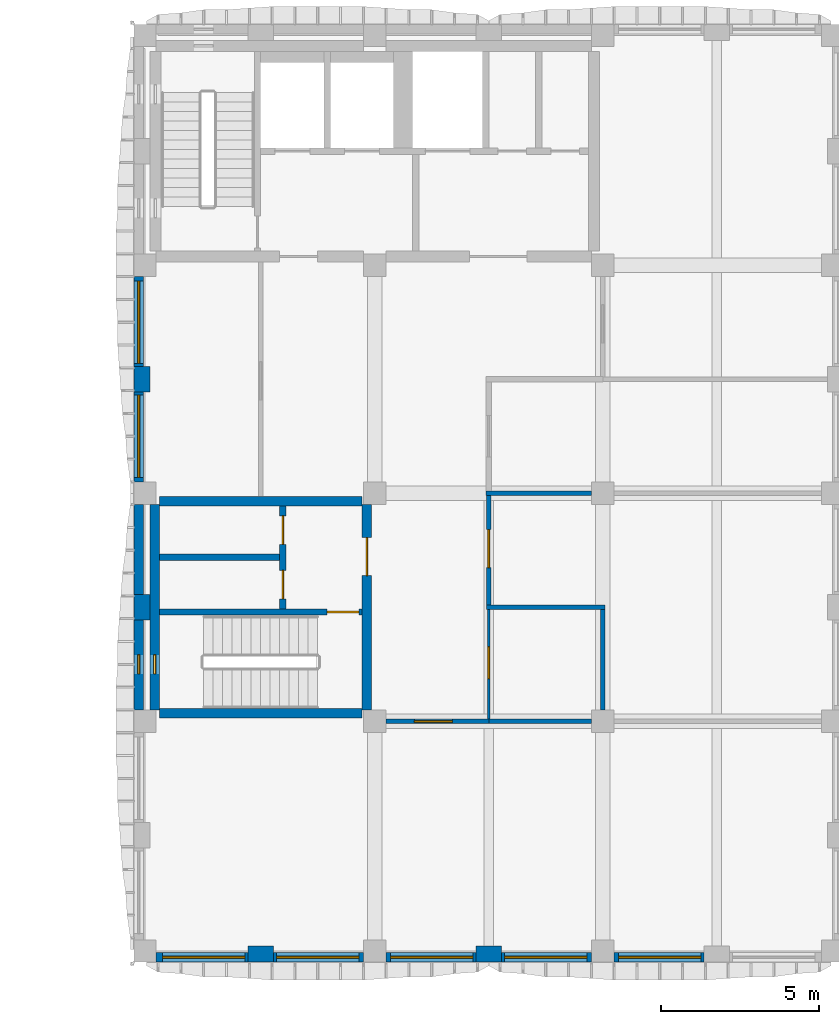
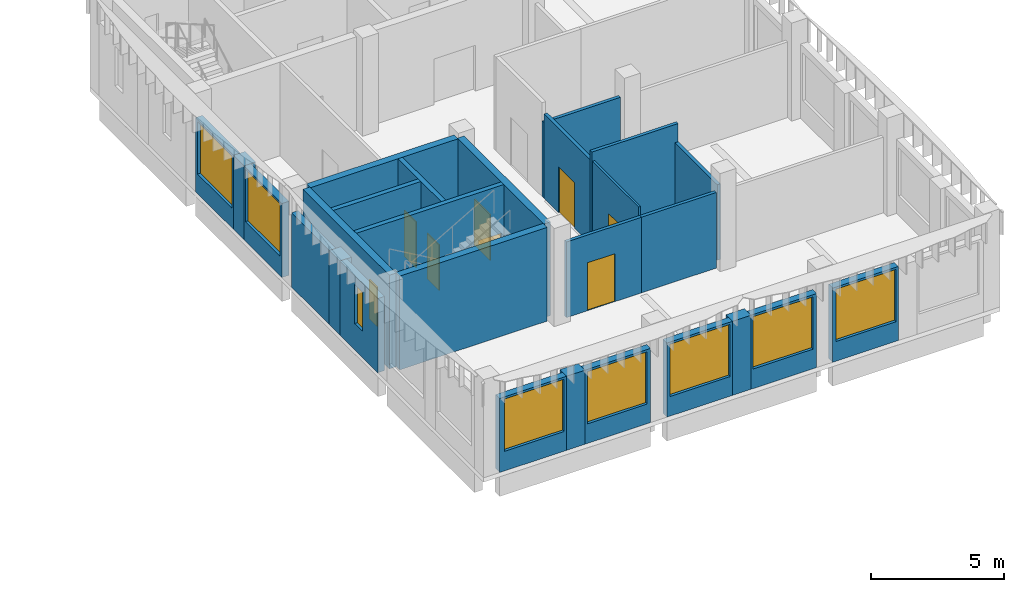
# One storey, part 10 of 38: 27 walls, 9 windows, 7 doors, 16 openings.
"""IFC4 building model written with IfcOpenShell, lengths in metres."""

from ifc_helpers import new_model, si_unit, direction, frame, frame_2d, origin, place, context, subcontext, project, spatial, rectangle, extrude, material, layer, layer_set, type_object, element, fill, save


model = new_model("IFC4")

# Units and contexts
model_context = context("Model", 3, precision=1e-05, world=origin(), true_north=direction((0.0, 1.0)))
body_context = subcontext(model_context, "Body", "Model", "MODEL_VIEW")
ifc_project = project(units=[si_unit("LENGTHUNIT", "METRE"), si_unit("AREAUNIT", "SQUARE_METRE"), si_unit("VOLUMEUNIT", "CUBIC_METRE"), si_unit("PLANEANGLEUNIT", "RADIAN"), si_unit("MASSUNIT", "GRAM", prefix="KILO")], contexts=[model_context])

# Site, building, storey
site_placement = place(None, origin())
site = spatial("IfcSite", under=ifc_project, at=site_placement, CompositionType="ELEMENT")
building_placement = place(site_placement, origin())
building = spatial("IfcBuilding", under=site, at=building_placement, Name="Ussher Court Research Institute", CompositionType="ELEMENT")
storey_placement = place(building_placement, frame((0.0, 0.0, 23.39990234375)))
storey = spatial("IfcBuildingStorey", under=building, at=storey_placement, Name="L05", CompositionType="ELEMENT", Elevation=23.39990234375)

# Wall, opening, window
ifc_material_1 = material(Name="Blockwork with cream render", Category="masonry")
ifc_layer_1 = layer(ifc_material_1, 0.300048828125)
ifc_layer_set_1 = layer_set([ifc_layer_1], Name="Blockwork with cream render")
wall_type_1 = type_object("IfcWallType", Name="External wall 300 cream render", PredefinedType="SOLIDWALL", material=ifc_layer_set_1)
wall_1_placement = place(storey_placement, frame((99.800048828125, 3.75, 0.0), z_axis=(0.0, 0.0, 1.0), x_axis=(-1.0, 0.0, 0.0)))
wall_1 = element("IfcWall", 1, at=wall_1_placement, inside=storey, type_object=wall_type_1, Name="External wall EW1 L05", PredefinedType="SOLIDWALL", context=body_context, shape_type="SweptSolid", body=[
    extrude(rectangle(XDim=2.85009765625, YDim=0.300048828125, at=frame_2d((1.425048828125, 0.0))), origin(), (0.0, 0.0, 1.0), 3.400146484375),
])
opening_1_placement = place(wall_1_placement, frame((0.10009765625, 0.0, 0.89990234375)))
opening_1 = element("IfcOpeningElement", 2, at=opening_1_placement, cuts=wall_1, Name="Opening W01", PredefinedType="OPENING", context=body_context, shape_type="SweptSolid", body=[
    extrude(rectangle(XDim=2.60009765625, YDim=2.39990234375, at=frame_2d((1.300048828125, 1.199951171875))), frame((0.0, 0.16015625, 0.0), z_axis=(0.0, -1.0, 0.0), x_axis=(1.0, 0.0, 0.0)), (0.0, 0.0, 1.0), 0.320068359375),
])
ifc_material_2 = material(Name="Bronze anodised aluminium with double glazing", Category="aluminium")
window_type_1 = type_object("IfcWindowType", Name="Laboratory bay window 2600x2400", PartitioningType="DOUBLE_PANEL_VERTICAL", PredefinedType="WINDOW", material=ifc_material_2)
window_1_placement = place(opening_1_placement, origin())
window_1 = element("IfcWindow", 3, at=window_1_placement, inside=storey, type_object=window_type_1, Name="Window W01 L05", OverallHeight=2.39990234375, OverallWidth=2.60009765625, PartitioningType="SINGLE_PANEL", PredefinedType="WINDOW", context=body_context, shape_type="SweptSolid", body=[
    extrude(rectangle(XDim=2.60009765625, YDim=2.39990234375, at=frame_2d((1.300048828125, 1.199951171875))), frame((0.0, 0.030029296875, 0.0), z_axis=(0.0, -1.0, 0.0), x_axis=(1.0, 0.0, 0.0)), (0.0, 0.0, 1.0), 0.06005859375),
])
fill(opening_1, window_1)

wall_2_placement = place(storey_placement, frame((96.25, 3.75, 0.0), z_axis=(0.0, 0.0, 1.0), x_axis=(-1.0, 0.0, 0.0)))
wall_2 = element("IfcWall", 4, at=wall_2_placement, inside=storey, type_object=wall_type_1, Name="External wall EW1 L05", PredefinedType="SOLIDWALL", context=body_context, shape_type="SweptSolid", body=[
    extrude(rectangle(XDim=2.85009765625, YDim=0.300048828125, at=frame_2d((1.425048828125, 0.0))), origin(), (0.0, 0.0, 1.0), 3.400146484375),
])
opening_2_placement = place(wall_2_placement, frame((0.14990234375, 0.0, 0.89990234375)))
opening_2 = element("IfcOpeningElement", 5, at=opening_2_placement, cuts=wall_2, Name="Opening W01", PredefinedType="OPENING", context=body_context, shape_type="SweptSolid", body=[
    extrude(rectangle(XDim=2.60009765625, YDim=2.39990234375, at=frame_2d((1.300048828125, 1.199951171875))), frame((0.0, 0.16015625, 0.0), z_axis=(0.0, -1.0, 0.0), x_axis=(1.0, 0.0, 0.0)), (0.0, 0.0, 1.0), 0.320068359375),
])
window_2_placement = place(opening_2_placement, origin())
window_2 = element("IfcWindow", 6, at=window_2_placement, inside=storey, type_object=window_type_1, Name="Window W01 L05", OverallHeight=2.39990234375, OverallWidth=2.60009765625, PartitioningType="SINGLE_PANEL", PredefinedType="WINDOW", context=body_context, shape_type="SweptSolid", body=[
    extrude(rectangle(XDim=2.60009765625, YDim=2.39990234375, at=frame_2d((1.300048828125, 1.199951171875))), frame((0.0, 0.030029296875, 0.0), z_axis=(0.0, -1.0, 0.0), x_axis=(1.0, 0.0, 0.0)), (0.0, 0.0, 1.0), 0.06005859375),
])
fill(opening_2, window_2)

wall_3_placement = place(storey_placement, frame((92.60009765625, 3.75, 0.0), z_axis=(0.0, 0.0, 1.0), x_axis=(-1.0, 0.0, 0.0)))
wall_3 = element("IfcWall", 7, at=wall_3_placement, inside=storey, type_object=wall_type_1, Name="External wall EW1 L05", PredefinedType="SOLIDWALL", context=body_context, shape_type="SweptSolid", body=[
    extrude(rectangle(XDim=2.85009765625, YDim=0.300048828125, at=frame_2d((1.425048828125, 0.0))), origin(), (0.0, 0.0, 1.0), 3.400146484375),
])
opening_3_placement = place(wall_3_placement, frame((0.10009765625, 0.0, 0.89990234375)))
opening_3 = element("IfcOpeningElement", 8, at=opening_3_placement, cuts=wall_3, Name="Opening W01", PredefinedType="OPENING", context=body_context, shape_type="SweptSolid", body=[
    extrude(rectangle(XDim=2.60009765625, YDim=2.39990234375, at=frame_2d((1.300048828125, 1.199951171875))), frame((0.0, 0.16015625, 0.0), z_axis=(0.0, -1.0, 0.0), x_axis=(1.0, 0.0, 0.0)), (0.0, 0.0, 1.0), 0.320068359375),
])
window_3_placement = place(opening_3_placement, origin())
window_3 = element("IfcWindow", 9, at=window_3_placement, inside=storey, type_object=window_type_1, Name="Window W01 L05", OverallHeight=2.39990234375, OverallWidth=2.60009765625, PartitioningType="SINGLE_PANEL", PredefinedType="WINDOW", context=body_context, shape_type="SweptSolid", body=[
    extrude(rectangle(XDim=2.60009765625, YDim=2.39990234375, at=frame_2d((1.300048828125, 1.199951171875))), frame((0.0, 0.030029296875, 0.0), z_axis=(0.0, -1.0, 0.0), x_axis=(1.0, 0.0, 0.0)), (0.0, 0.0, 1.0), 0.06005859375),
])
fill(opening_3, window_3)

wall_4_placement = place(storey_placement, frame((89.050048828125, 3.75, 0.0), z_axis=(0.0, 0.0, 1.0), x_axis=(-1.0, 0.0, 0.0)))
wall_4 = element("IfcWall", 10, at=wall_4_placement, inside=storey, type_object=wall_type_1, Name="External wall EW1 L05", PredefinedType="SOLIDWALL", context=body_context, shape_type="SweptSolid", body=[
    extrude(rectangle(XDim=2.85009765625, YDim=0.300048828125, at=frame_2d((1.425048828125, 0.0))), origin(), (0.0, 0.0, 1.0), 3.400146484375),
])
opening_4_placement = place(wall_4_placement, frame((0.14990234375, 0.0, 0.89990234375)))
opening_4 = element("IfcOpeningElement", 11, at=opening_4_placement, cuts=wall_4, Name="Opening W01", PredefinedType="OPENING", context=body_context, shape_type="SweptSolid", body=[
    extrude(rectangle(XDim=2.60009765625, YDim=2.39990234375, at=frame_2d((1.300048828125, 1.199951171875))), frame((0.0, 0.16015625, 0.0), z_axis=(0.0, -1.0, 0.0), x_axis=(1.0, 0.0, 0.0)), (0.0, 0.0, 1.0), 0.320068359375),
])
window_4_placement = place(opening_4_placement, origin())
window_4 = element("IfcWindow", 12, at=window_4_placement, inside=storey, type_object=window_type_1, Name="Window W01 L05", OverallHeight=2.39990234375, OverallWidth=2.60009765625, PartitioningType="SINGLE_PANEL", PredefinedType="WINDOW", context=body_context, shape_type="SweptSolid", body=[
    extrude(rectangle(XDim=2.60009765625, YDim=2.39990234375, at=frame_2d((1.300048828125, 1.199951171875))), frame((0.0, 0.030029296875, 0.0), z_axis=(0.0, -1.0, 0.0), x_axis=(1.0, 0.0, 0.0)), (0.0, 0.0, 1.0), 0.06005859375),
])
fill(opening_4, window_4)

wall_5_placement = place(storey_placement, frame((85.39990234375, 3.75, 0.0), z_axis=(0.0, 0.0, 1.0), x_axis=(-1.0, 0.0, 0.0)))
wall_5 = element("IfcWall", 13, at=wall_5_placement, inside=storey, type_object=wall_type_1, Name="External wall EW1 L05", PredefinedType="SOLIDWALL", context=body_context, shape_type="SweptSolid", body=[
    extrude(rectangle(XDim=2.89990234375, YDim=0.300048828125, at=frame_2d((1.449951171875, 0.0))), origin(), (0.0, 0.0, 1.0), 3.400146484375),
])
opening_5_placement = place(wall_5_placement, frame((0.10009765625, 0.0, 0.89990234375)))
opening_5 = element("IfcOpeningElement", 14, at=opening_5_placement, cuts=wall_5, Name="Opening W01", PredefinedType="OPENING", context=body_context, shape_type="SweptSolid", body=[
    extrude(rectangle(XDim=2.60009765625, YDim=2.39990234375, at=frame_2d((1.300048828125, 1.199951171875))), frame((0.0, 0.16015625, 0.0), z_axis=(0.0, -1.0, 0.0), x_axis=(1.0, 0.0, 0.0)), (0.0, 0.0, 1.0), 0.320068359375),
])
window_5_placement = place(opening_5_placement, origin())
window_5 = element("IfcWindow", 15, at=window_5_placement, inside=storey, type_object=window_type_1, Name="Window W01 L05", OverallHeight=2.39990234375, OverallWidth=2.60009765625, PartitioningType="SINGLE_PANEL", PredefinedType="WINDOW", context=body_context, shape_type="SweptSolid", body=[
    extrude(rectangle(XDim=2.60009765625, YDim=2.39990234375, at=frame_2d((1.300048828125, 1.199951171875))), frame((0.0, 0.030029296875, 0.0), z_axis=(0.0, -1.0, 0.0), x_axis=(1.0, 0.0, 0.0)), (0.0, 0.0, 1.0), 0.06005859375),
])
fill(opening_5, window_5)

wall_6_placement = place(storey_placement, frame((81.949951171875, 18.75, 0.0), z_axis=(0.0, 0.0, 1.0), x_axis=(0.0, 1.0, 0.0)))
wall_6 = element("IfcWall", 16, at=wall_6_placement, inside=storey, type_object=wall_type_1, Name="External wall EW1 L05", PredefinedType="SOLIDWALL", context=body_context, shape_type="SweptSolid", body=[
    extrude(rectangle(XDim=2.85009765625, YDim=0.300048828125, at=frame_2d((1.425048828125, 0.0))), origin(), (0.0, 0.0, 1.0), 3.400146484375),
])
opening_6_placement = place(wall_6_placement, frame((0.14990234375, 0.0, 0.89990234375)))
opening_6 = element("IfcOpeningElement", 17, at=opening_6_placement, cuts=wall_6, Name="Opening W01", PredefinedType="OPENING", context=body_context, shape_type="SweptSolid", body=[
    extrude(rectangle(XDim=2.60009765625, YDim=2.39990234375, at=frame_2d((1.300048828125, 1.199951171875))), frame((0.0, 0.16015625, 0.0), z_axis=(0.0, -1.0, 0.0), x_axis=(1.0, 0.0, 0.0)), (0.0, 0.0, 1.0), 0.320068359375),
])
window_6_placement = place(opening_6_placement, origin())
window_6 = element("IfcWindow", 18, at=window_6_placement, inside=storey, type_object=window_type_1, Name="Window W01 L05", OverallHeight=2.39990234375, OverallWidth=2.60009765625, PartitioningType="SINGLE_PANEL", PredefinedType="WINDOW", context=body_context, shape_type="SweptSolid", body=[
    extrude(rectangle(XDim=2.60009765625, YDim=2.39990234375, at=frame_2d((1.300048828125, 1.199951171875))), frame((0.0, 0.030029296875, 0.0), z_axis=(0.0, -1.0, 0.0), x_axis=(1.0, 0.0, 0.0)), (0.0, 0.0, 1.0), 0.06005859375),
])
fill(opening_6, window_6)

wall_7_placement = place(storey_placement, frame((81.949951171875, 22.39990234375, 0.0), z_axis=(0.0, 0.0, 1.0), x_axis=(0.0, 1.0, 0.0)))
wall_7 = element("IfcWall", 19, at=wall_7_placement, inside=storey, type_object=wall_type_1, Name="External wall EW1 L05", PredefinedType="SOLIDWALL", context=body_context, shape_type="SweptSolid", body=[
    extrude(rectangle(XDim=2.85009765625, YDim=0.300048828125, at=frame_2d((1.425048828125, 0.0))), origin(), (0.0, 0.0, 1.0), 3.400146484375),
])
opening_7_placement = place(wall_7_placement, frame((0.10009765625, 0.0, 0.89990234375)))
opening_7 = element("IfcOpeningElement", 20, at=opening_7_placement, cuts=wall_7, Name="Opening W01", PredefinedType="OPENING", context=body_context, shape_type="SweptSolid", body=[
    extrude(rectangle(XDim=2.60009765625, YDim=2.39990234375, at=frame_2d((1.300048828125, 1.199951171875))), frame((0.0, 0.16015625, 0.0), z_axis=(0.0, -1.0, 0.0), x_axis=(1.0, 0.0, 0.0)), (0.0, 0.0, 1.0), 0.320068359375),
])
window_7_placement = place(opening_7_placement, origin())
window_7 = element("IfcWindow", 21, at=window_7_placement, inside=storey, type_object=window_type_1, Name="Window W01 L05", OverallHeight=2.39990234375, OverallWidth=2.60009765625, PartitioningType="SINGLE_PANEL", PredefinedType="WINDOW", context=body_context, shape_type="SweptSolid", body=[
    extrude(rectangle(XDim=2.60009765625, YDim=2.39990234375, at=frame_2d((1.300048828125, 1.199951171875))), frame((0.0, 0.030029296875, 0.0), z_axis=(0.0, -1.0, 0.0), x_axis=(1.0, 0.0, 0.0)), (0.0, 0.0, 1.0), 0.06005859375),
])
fill(opening_7, window_7)

ifc_material_3 = material(Name="Limestone facing on blockwork", Category="masonry")
ifc_layer_2 = layer(ifc_material_3, 0.300048828125)
ifc_layer_set_2 = layer_set([ifc_layer_2], Name="Limestone facing on blockwork")
wall_type_2 = type_object("IfcWallType", Name="External wall 300 stair enclosure", PredefinedType="SOLIDWALL", material=ifc_layer_set_2)
wall_8_placement = place(storey_placement, frame((81.949951171875, 11.550048828125, 0.0), z_axis=(0.0, 0.0, 1.0), x_axis=(0.0, 1.0, 0.0)))
wall_8 = element("IfcWall", 22, at=wall_8_placement, inside=storey, type_object=wall_type_2, Name="External wall EW5 L05", PredefinedType="SOLIDWALL", context=body_context, shape_type="SweptSolid", body=[
    extrude(rectangle(XDim=2.849853515625, YDim=0.300048828125, at=frame_2d((1.4248046875, 0.0))), origin(), (0.0, 0.0, 1.0), 3.400146484375),
])
opening_8_placement = place(wall_8_placement, frame((1.14990234375, 0.0, 1.199951171875)))
opening_8 = element("IfcOpeningElement", 23, at=opening_8_placement, cuts=wall_8, Name="Opening W25", PredefinedType="OPENING", context=body_context, shape_type="SweptSolid", body=[
    extrude(rectangle(XDim=0.60009765625, YDim=1.800048828125, at=frame_2d((0.300048828125, 0.89990234375))), frame((0.0, 0.16015625, 0.0), z_axis=(0.0, -1.0, 0.0), x_axis=(1.0, 0.0, 0.0)), (0.0, 0.0, 1.0), 0.320068359375),
])
ifc_material_4 = material(Name="Bronze anodised aluminium with double glazing", Category="aluminium")
window_type_2 = type_object("IfcWindowType", Name="Stair light slot window 600x1800 fire-resisting glazing", PartitioningType="SINGLE_PANEL", PredefinedType="WINDOW", material=ifc_material_4)
window_8_placement = place(opening_8_placement, origin())
window_8 = element("IfcWindow", 24, at=window_8_placement, inside=storey, type_object=window_type_2, Name="Window W25 L05", OverallHeight=1.800048828125, OverallWidth=0.60009765625, PartitioningType="SINGLE_PANEL", PredefinedType="WINDOW", context=body_context, shape_type="SweptSolid", body=[
    extrude(rectangle(XDim=0.60009765625, YDim=1.800048828125, at=frame_2d((0.300048828125, 0.89990234375))), frame((0.0, 0.030029296875, 0.0), z_axis=(0.0, -1.0, 0.0), x_axis=(1.0, 0.0, 0.0)), (0.0, 0.0, 1.0), 0.06005859375),
])
fill(opening_8, window_8)

# Wall
wall_9_placement = place(storey_placement, frame((81.949951171875, 15.199951171875, 0.0), z_axis=(0.0, 0.0, 1.0), x_axis=(0.0, 1.0, 0.0)))
element("IfcWall", 25, at=wall_9_placement, inside=storey, type_object=wall_type_2, Name="External wall EW5 L05", PredefinedType="SOLIDWALL", context=body_context, shape_type="SweptSolid", body=[
    extrude(rectangle(XDim=2.85009765625, YDim=0.300048828125, at=frame_2d((1.425048828125, 0.0))), origin(), (0.0, 0.0, 1.0), 3.400146484375),
])

# Wall, opening, door
ifc_material_5 = material(Name="Plastered blockwork", Category="masonry")
ifc_layer_3 = layer(ifc_material_5, 0.139892578125)
ifc_layer_set_3 = layer_set([ifc_layer_3], Name="Plastered blockwork")
wall_type_3 = type_object("IfcWallType", Name="Laboratory blockwork partition 140", PredefinedType="PARTITIONING", material=ifc_layer_set_3)
wall_10_placement = place(storey_placement, frame((93.0, 11.199951171875, 0.0), z_axis=(0.0, 0.0, 1.0), x_axis=(-1.0, 0.0, 0.0)))
wall_10 = element("IfcWall", 26, at=wall_10_placement, inside=storey, type_object=wall_type_3, Name="Partition", PredefinedType="PARTITIONING", context=body_context, shape_type="SweptSolid", body=[
    extrude(rectangle(XDim=3.25, YDim=0.139892578125, at=frame_2d((1.625, 0.0))), origin(), (0.0, 0.0, 1.0), 3.47021484375),
])
opening_9_placement = place(wall_10_placement, frame((1.14990234375, 0.0, 0.0)))
opening_9 = element("IfcOpeningElement", 27, at=opening_9_placement, cuts=wall_10, Name="Opening D05033", PredefinedType="OPENING", context=body_context, shape_type="SweptSolid", body=[
    extrude(rectangle(XDim=1.199951171875, YDim=2.199951171875, at=frame_2d((0.60009765625, 1.10009765625))), frame((0.0, 0.080078125, 0.0), z_axis=(0.0, -1.0, 0.0), x_axis=(1.0, 0.0, 0.0)), (0.0, 0.0, 1.0), 0.159912109375),
])
ifc_material_6 = material(Name="Veneered timber door", Category="wood")
door_type_1 = type_object("IfcDoorType", Name="Containment laboratory door 1200x2200", OperationType="NOTDEFINED", PredefinedType="DOOR", material=ifc_material_6)
door_1_placement = place(opening_9_placement, origin())
door_1 = element("IfcDoor", 28, at=door_1_placement, inside=storey, type_object=door_type_1, Name="Door D05033", OperationType="SINGLE_SWING_RIGHT", OverallHeight=2.199951171875, OverallWidth=1.199951171875, PredefinedType="DOOR", context=body_context, shape_type="SweptSolid", body=[
    extrude(rectangle(XDim=1.199951171875, YDim=2.199951171875, at=frame_2d((0.60009765625, 1.10009765625))), frame((0.0, 0.02490234375, 0.0), z_axis=(0.0, -1.0, 0.0), x_axis=(1.0, 0.0, 0.0)), (0.0, 0.0, 1.0), 0.050048828125),
])
fill(opening_9, door_1)

# Walls
wall_11_placement = place(storey_placement, frame((93.0, 11.199951171875, 0.0), z_axis=(0.0, 0.0, 1.0), x_axis=(1.0, 0.0, 0.0)))
element("IfcWall", 29, at=wall_11_placement, inside=storey, type_object=wall_type_3, Name="Partition", PredefinedType="PARTITIONING", context=body_context, shape_type="SweptSolid", body=[
    extrude(rectangle(XDim=3.25, YDim=0.139892578125, at=frame_2d((1.625, 0.0))), origin(), (0.0, 0.0, 1.0), 3.47021484375),
])
wall_12_placement = place(storey_placement, frame((92.929931640625, 14.800048828125, 0.0), z_axis=(0.0, 0.0, 1.0), x_axis=(1.0, 0.0, 0.0)))
element("IfcWall", 30, at=wall_12_placement, inside=storey, type_object=wall_type_3, Name="Partition", PredefinedType="PARTITIONING", context=body_context, shape_type="SweptSolid", body=[
    extrude(rectangle(XDim=3.739990234375, YDim=0.139892578125, at=frame_2d((1.8701171875, 0.0))), origin(), (0.0, 0.0, 1.0), 4.300048828125),
])
wall_13_placement = place(storey_placement, frame((92.919921875, 18.39990234375, 0.0), z_axis=(0.0, 0.0, 1.0), x_axis=(1.0, 0.0, 0.0)))
element("IfcWall", 31, at=wall_13_placement, inside=storey, type_object=wall_type_3, Name="Partition", PredefinedType="PARTITIONING", context=body_context, shape_type="SweptSolid", body=[
    extrude(rectangle(XDim=3.330078125, YDim=0.139892578125, at=frame_2d((1.6650390625, 0.0))), origin(), (0.0, 0.0, 1.0), 3.47021484375),
])

# Wall, opening, door
wall_14_placement = place(storey_placement, frame((93.0, 18.330078125, 0.0), z_axis=(0.0, 0.0, 1.0), x_axis=(0.0, -1.0, 0.0)))
wall_14 = element("IfcWall", 32, at=wall_14_placement, inside=storey, type_object=wall_type_3, Name="Partition", PredefinedType="PARTITIONING", context=body_context, shape_type="SweptSolid", body=[
    extrude(rectangle(XDim=3.4599609375, YDim=0.139892578125, at=frame_2d((1.72998046875, 0.0))), origin(), (0.0, 0.0, 1.0), 3.8701171875),
])
opening_10_placement = place(wall_14_placement, frame((1.080078125, 0.0, 0.0)))
opening_10 = element("IfcOpeningElement", 33, at=opening_10_placement, cuts=wall_14, Name="Opening D05035", PredefinedType="OPENING", context=body_context, shape_type="SweptSolid", body=[
    extrude(rectangle(XDim=1.199951171875, YDim=2.10009765625, at=frame_2d((0.60009765625, 1.050048828125))), frame((0.0, 0.080078125, 0.0), z_axis=(0.0, -1.0, 0.0), x_axis=(1.0, 0.0, 0.0)), (0.0, 0.0, 1.0), 0.159912109375),
])
ifc_material_7 = material(Name="Veneered timber door", Category="wood")
door_type_2 = type_object("IfcDoorType", Name="Laboratory door 1200x2100", OperationType="NOTDEFINED", PredefinedType="DOOR", material=ifc_material_7)
door_2_placement = place(opening_10_placement, origin())
door_2 = element("IfcDoor", 34, at=door_2_placement, inside=storey, type_object=door_type_2, Name="Door D05035", OperationType="SINGLE_SWING_LEFT", OverallHeight=2.10009765625, OverallWidth=1.199951171875, PredefinedType="DOOR", context=body_context, shape_type="SweptSolid", body=[
    extrude(rectangle(XDim=1.199951171875, YDim=2.10009765625, at=frame_2d((0.60009765625, 1.050048828125))), frame((0.0, 0.02490234375, 0.0), z_axis=(0.0, -1.0, 0.0), x_axis=(1.0, 0.0, 0.0)), (0.0, 0.0, 1.0), 0.050048828125),
])
fill(opening_10, door_2)

# Walls
wall_15_placement = place(storey_placement, frame((96.60009765625, 11.550048828125, 0.0), z_axis=(0.0, 0.0, 1.0), x_axis=(0.0, 1.0, 0.0)))
element("IfcWall", 35, at=wall_15_placement, inside=storey, type_object=wall_type_3, Name="Partition", PredefinedType="PARTITIONING", context=body_context, shape_type="SweptSolid", body=[
    extrude(rectangle(XDim=3.179931640625, YDim=0.139892578125, at=frame_2d((1.58984375, 0.0))), origin(), (0.0, 0.0, 1.0), 3.47021484375),
])
ifc_material_8 = material(Name="Blockwork with cream render", Category="masonry")
ifc_layer_4 = layer(ifc_material_8, 0.5)
ifc_layer_set_4 = layer_set([ifc_layer_4], Name="Blockwork with cream render")
wall_type_4 = type_object("IfcWallType", Name="Pier 800x500 cream render", PredefinedType="SOLIDWALL", material=ifc_layer_set_4)
wall_16_placement = place(storey_placement, frame((93.39990234375, 3.85009765625, 0.0), z_axis=(0.0, 0.0, 1.0), x_axis=(-1.0, 0.0, 0.0)))
element("IfcWall", 36, at=wall_16_placement, inside=storey, type_object=wall_type_4, Name="Pier PR1 L05", PredefinedType="SOLIDWALL", context=body_context, shape_type="SweptSolid", body=[
    extrude(rectangle(XDim=0.7998046875, YDim=0.5, at=frame_2d((0.39990234375, 0.0))), origin(), (0.0, 0.0, 1.0), 3.400146484375),
])
for number, where, z_axis, x_axis, name in (
    (37, (86.199951171875, 3.85009765625, 0.0), (0.0, 0.0, 1.0), (-1.0, 0.0, 0.0), "Pier PR1 L05"),
    (38, (82.050048828125, 14.39990234375, 0.0), (0.0, 0.0, 1.0), (0.0, 1.0, 0.0), "Pier PR1 L05"),
):
    element("IfcWall", number, at=place(storey_placement, frame(where, z_axis=z_axis, x_axis=x_axis)), inside=storey, type_object=wall_type_4, Name=name, PredefinedType="SOLIDWALL", context=body_context, shape_type="SweptSolid", body=[
        extrude(rectangle(XDim=0.800048828125, YDim=0.5, at=frame_2d((0.39990234375, 0.0))), origin(), (0.0, 0.0, 1.0), 3.400146484375),
    ])
wall_17_placement = place(storey_placement, frame((82.050048828125, 21.60009765625, 0.0), z_axis=(0.0, 0.0, 1.0), x_axis=(0.0, 1.0, 0.0)))
element("IfcWall", 39, at=wall_17_placement, inside=storey, type_object=wall_type_4, Name="Pier PR1 L05", PredefinedType="SOLIDWALL", context=body_context, shape_type="SweptSolid", body=[
    extrude(rectangle(XDim=0.7998046875, YDim=0.5, at=frame_2d((0.39990234375, 0.0))), origin(), (0.0, 0.0, 1.0), 3.400146484375),
])

# Wall, opening, door
ifc_material_9 = material(Name="Concrete C35/45", Category="concrete")
ifc_layer_5 = layer(ifc_material_9, 0.199951171875)
ifc_layer_set_5 = layer_set([ifc_layer_5], Name="Concrete C35/45")
wall_type_5 = type_object("IfcWallType", Name="RC core wall 200", PredefinedType="SHEAR", material=ifc_layer_set_5)
wall_18_placement = place(storey_placement, frame((89.0, 14.64990234375, 0.0), z_axis=(0.0, 0.0, 1.0), x_axis=(-1.0, 0.0, 0.0)))
wall_18 = element("IfcWall", 40, at=wall_18_placement, inside=storey, type_object=wall_type_5, Name="Core wall T2", PredefinedType="SHEAR", context=body_context, shape_type="SweptSolid", body=[
    extrude(rectangle(XDim=6.39990234375, YDim=0.199951171875, at=frame_2d((3.199951171875, 0.0))), origin(), (0.0, 0.0, 1.0), 4.300048828125),
])
opening_11_placement = place(wall_18_placement, frame((0.10009765625, 0.0, 0.0)))
opening_11 = element("IfcOpeningElement", 41, at=opening_11_placement, cuts=wall_18, Name="Opening D05031", PredefinedType="OPENING", context=body_context, shape_type="SweptSolid", body=[
    extrude(rectangle(XDim=1.0, YDim=2.10009765625, at=frame_2d((0.5, 1.050048828125))), frame((0.0, 0.10986328125, 0.0), z_axis=(0.0, -1.0, 0.0), x_axis=(1.0, 0.0, 0.0)), (0.0, 0.0, 1.0), 0.219970703125),
])
ifc_material_10 = material(Name="Painted steel faced fire door", Category="steel")
door_type_3 = type_object("IfcDoorType", Name="Fire door 1000x2100 FD60", OperationType="NOTDEFINED", PredefinedType="DOOR", material=ifc_material_10)
door_3_placement = place(opening_11_placement, origin())
door_3 = element("IfcDoor", 42, at=door_3_placement, inside=storey, type_object=door_type_3, Name="Door D05031", OperationType="SINGLE_SWING_LEFT", OverallHeight=2.10009765625, OverallWidth=1.0, PredefinedType="DOOR", context=body_context, shape_type="SweptSolid", body=[
    extrude(rectangle(XDim=1.0, YDim=2.10009765625, at=frame_2d((0.5, 1.050048828125))), frame((0.0, 0.02490234375, 0.0), z_axis=(0.0, -1.0, 0.0), x_axis=(1.0, 0.0, 0.0)), (0.0, 0.0, 1.0), 0.050048828125),
])
fill(opening_11, door_3)

# Wall, openings, doors
wall_19_placement = place(storey_placement, frame((86.5, 18.0, 0.0), z_axis=(0.0, 0.0, 1.0), x_axis=(0.0, -1.0, 0.0)))
wall_19 = element("IfcWall", 43, at=wall_19_placement, inside=storey, type_object=wall_type_5, Name="Core wall T2", PredefinedType="SHEAR", context=body_context, shape_type="SweptSolid", body=[
    extrude(rectangle(XDim=3.25, YDim=0.199951171875, at=frame_2d((1.625, 0.0))), origin(), (0.0, 0.0, 1.0), 4.300048828125),
])
opening_12_placement = place(wall_19_placement, frame((2.03759765625, 0.0, 0.0)))
opening_12 = element("IfcOpeningElement", 44, at=opening_12_placement, cuts=wall_19, Name="Opening D05028", PredefinedType="OPENING", context=body_context, shape_type="SweptSolid", body=[
    extrude(rectangle(XDim=0.89990234375, YDim=2.10009765625, at=frame_2d((0.449951171875, 1.050048828125))), frame((0.0, 0.10986328125, 0.0), z_axis=(0.0, -1.0, 0.0), x_axis=(1.0, 0.0, 0.0)), (0.0, 0.0, 1.0), 0.219970703125),
])
opening_13_placement = place(wall_19_placement, frame((0.3125, 0.0, 0.0)))
opening_13 = element("IfcOpeningElement", 45, at=opening_13_placement, cuts=wall_19, Name="Opening D05029", PredefinedType="OPENING", context=body_context, shape_type="SweptSolid", body=[
    extrude(rectangle(XDim=0.89990234375, YDim=2.10009765625, at=frame_2d((0.449951171875, 1.050048828125))), frame((0.0, 0.10986328125, 0.0), z_axis=(0.0, -1.0, 0.0), x_axis=(1.0, 0.0, 0.0)), (0.0, 0.0, 1.0), 0.219970703125),
])
ifc_material_11 = material(Name="Painted steel faced fire door", Category="steel")
door_type_4 = type_object("IfcDoorType", Name="Fire door 900x2100 FD60", OperationType="NOTDEFINED", PredefinedType="DOOR", material=ifc_material_11)
door_4_placement = place(opening_12_placement, origin())
door_4 = element("IfcDoor", 46, at=door_4_placement, inside=storey, type_object=door_type_4, Name="Door D05028", OperationType="SINGLE_SWING_RIGHT", OverallHeight=2.10009765625, OverallWidth=0.89990234375, PredefinedType="DOOR", context=body_context, shape_type="SweptSolid", body=[
    extrude(rectangle(XDim=0.89990234375, YDim=2.10009765625, at=frame_2d((0.449951171875, 1.050048828125))), frame((0.0, 0.02490234375, 0.0), z_axis=(0.0, -1.0, 0.0), x_axis=(1.0, 0.0, 0.0)), (0.0, 0.0, 1.0), 0.050048828125),
])
fill(opening_12, door_4)
door_5_placement = place(opening_13_placement, origin())
door_5 = element("IfcDoor", 47, at=door_5_placement, inside=storey, type_object=door_type_4, Name="Door D05029", OperationType="SINGLE_SWING_LEFT", OverallHeight=2.10009765625, OverallWidth=0.89990234375, PredefinedType="DOOR", context=body_context, shape_type="SweptSolid", body=[
    extrude(rectangle(XDim=0.89990234375, YDim=2.10009765625, at=frame_2d((0.449951171875, 1.050048828125))), frame((0.0, 0.02490234375, 0.0), z_axis=(0.0, -1.0, 0.0), x_axis=(1.0, 0.0, 0.0)), (0.0, 0.0, 1.0), 0.050048828125),
])
fill(opening_13, door_5)

# Wall
wall_20_placement = place(storey_placement, frame((82.60009765625, 16.375, 0.0), z_axis=(0.0, 0.0, 1.0), x_axis=(1.0, 0.0, 0.0)))
element("IfcWall", 48, at=wall_20_placement, inside=storey, type_object=wall_type_5, Name="Core wall T2", PredefinedType="SHEAR", context=body_context, shape_type="SweptSolid", body=[
    extrude(rectangle(XDim=3.7998046875, YDim=0.199951171875, at=frame_2d((1.89990234375, 0.0))), origin(), (0.0, 0.0, 1.0), 4.300048828125),
])

# Wall, opening, door
ifc_material_12 = material(Name="Concrete C35/45", Category="concrete")
ifc_layer_6 = layer(ifc_material_12, 0.300048828125)
ifc_layer_set_6 = layer_set([ifc_layer_6], Name="Concrete C35/45")
wall_type_6 = type_object("IfcWallType", Name="RC core wall 300", PredefinedType="SHEAR", material=ifc_layer_set_6)
wall_21_placement = place(storey_placement, frame((89.14990234375, 11.550048828125, 0.0), z_axis=(0.0, 0.0, 1.0), x_axis=(0.0, 1.0, 0.0)))
wall_21 = element("IfcWall", 49, at=wall_21_placement, inside=storey, type_object=wall_type_6, Name="Core wall T2", PredefinedType="SHEAR", context=body_context, shape_type="SweptSolid", body=[
    extrude(rectangle(XDim=6.5, YDim=0.300048828125, at=frame_2d((3.25, 0.0))), origin(), (0.0, 0.0, 1.0), 4.300048828125),
])
opening_14_placement = place(wall_21_placement, frame((4.25, 0.0, 0.0)))
opening_14 = element("IfcOpeningElement", 50, at=opening_14_placement, cuts=wall_21, Name="Opening D05032", PredefinedType="OPENING", context=body_context, shape_type="SweptSolid", body=[
    extrude(rectangle(XDim=1.199951171875, YDim=2.10009765625, at=frame_2d((0.60009765625, 1.050048828125))), frame((0.0, 0.16015625, 0.0), z_axis=(0.0, -1.0, 0.0), x_axis=(1.0, 0.0, 0.0)), (0.0, 0.0, 1.0), 0.320068359375),
])
ifc_material_13 = material(Name="Painted steel faced fire door", Category="steel")
door_type_5 = type_object("IfcDoorType", Name="Fire door 1200x2100 FD60", OperationType="NOTDEFINED", PredefinedType="DOOR", material=ifc_material_13)
door_6_placement = place(opening_14_placement, origin())
door_6 = element("IfcDoor", 51, at=door_6_placement, inside=storey, type_object=door_type_5, Name="Door D05032", OperationType="SINGLE_SWING_RIGHT", OverallHeight=2.10009765625, OverallWidth=1.199951171875, PredefinedType="DOOR", context=body_context, shape_type="SweptSolid", body=[
    extrude(rectangle(XDim=1.199951171875, YDim=2.10009765625, at=frame_2d((0.60009765625, 1.050048828125))), frame((0.0, 0.02490234375, 0.0), z_axis=(0.0, -1.0, 0.0), x_axis=(1.0, 0.0, 0.0)), (0.0, 0.0, 1.0), 0.050048828125),
])
fill(opening_14, door_6)

# Wall, opening, window
wall_22_placement = place(storey_placement, frame((82.449951171875, 11.550048828125, 0.0), z_axis=(0.0, 0.0, 1.0), x_axis=(0.0, 1.0, 0.0)))
wall_22 = element("IfcWall", 52, at=wall_22_placement, inside=storey, type_object=wall_type_6, Name="Core wall T2", PredefinedType="SHEAR", context=body_context, shape_type="SweptSolid", body=[
    extrude(rectangle(XDim=6.5, YDim=0.300048828125, at=frame_2d((3.25, 0.0))), origin(), (0.0, 0.0, 1.0), 4.300048828125),
])
opening_15_placement = place(wall_22_placement, frame((1.14990234375, 0.0, 1.199951171875)))
opening_15 = element("IfcOpeningElement", 53, at=opening_15_placement, cuts=wall_22, Name="Opening W25", PredefinedType="OPENING", context=body_context, shape_type="SweptSolid", body=[
    extrude(rectangle(XDim=0.60009765625, YDim=1.800048828125, at=frame_2d((0.300048828125, 0.89990234375))), frame((0.0, 0.16015625, 0.0), z_axis=(0.0, -1.0, 0.0), x_axis=(1.0, 0.0, 0.0)), (0.0, 0.0, 1.0), 0.320068359375),
])
window_9_placement = place(opening_15_placement, origin())
window_9 = element("IfcWindow", 54, at=window_9_placement, inside=storey, type_object=window_type_2, Name="Window stair light T2 L05", OverallHeight=1.800048828125, OverallWidth=0.60009765625, PartitioningType="SINGLE_PANEL", PredefinedType="WINDOW", context=body_context, shape_type="SweptSolid", body=[
    extrude(rectangle(XDim=0.60009765625, YDim=1.800048828125, at=frame_2d((0.300048828125, 0.89990234375))), frame((0.0, 0.030029296875, 0.0), z_axis=(0.0, -1.0, 0.0), x_axis=(1.0, 0.0, 0.0)), (0.0, 0.0, 1.0), 0.06005859375),
])
fill(opening_15, window_9)

# Walls
for number, where, z_axis, x_axis, name in (
    (55, (82.60009765625, 11.449951171875, 0.0), (0.0, 0.0, 1.0), (1.0, 0.0, 0.0), "Core wall T2"),
    (56, (82.60009765625, 18.14990234375, 0.0), (0.0, 0.0, 1.0), (1.0, 0.0, 0.0), "Core wall T2"),
):
    element("IfcWall", number, at=place(storey_placement, frame(where, z_axis=z_axis, x_axis=x_axis)), inside=storey, type_object=wall_type_6, Name=name, PredefinedType="SHEAR", context=body_context, shape_type="SweptSolid", body=[
        extrude(rectangle(XDim=6.39990234375, YDim=0.300048828125, at=frame_2d((3.199951171875, 0.0))), origin(), (0.0, 0.0, 1.0), 4.300048828125),
    ])

# Wall, opening, door
ifc_material_14 = material(Name="Moisture-resistant board on steel studs", Category="steel")
ifc_layer_7 = layer(ifc_material_14, 0.090087890625)
ifc_layer_set_7 = layer_set([ifc_layer_7], Name="Moisture-resistant board on steel studs")
wall_type_7 = type_object("IfcWallType", Name="WC lining partition 90", PredefinedType="PARTITIONING", material=ifc_layer_set_7)
wall_23_placement = place(storey_placement, frame((93.0, 14.72998046875, 0.0), z_axis=(0.0, 0.0, 1.0), x_axis=(0.0, -1.0, 0.0)))
wall_23 = element("IfcWall", 57, at=wall_23_placement, inside=storey, type_object=wall_type_7, Name="Partition", PredefinedType="PARTITIONING", context=body_context, shape_type="SweptSolid", body=[
    extrude(rectangle(XDim=3.4599609375, YDim=0.090087890625, at=frame_2d((1.72998046875, 0.0))), origin(), (0.0, 0.0, 1.0), 3.8701171875),
])
opening_16_placement = place(wall_23_placement, frame((1.179931640625, 0.0, 0.0)))
opening_16 = element("IfcOpeningElement", 58, at=opening_16_placement, cuts=wall_23, Name="Opening D05034", PredefinedType="OPENING", context=body_context, shape_type="SweptSolid", body=[
    extrude(rectangle(XDim=1.0, YDim=2.199951171875, at=frame_2d((0.5, 1.10009765625))), frame((0.0, 0.05517578125, 0.0), z_axis=(0.0, -1.0, 0.0), x_axis=(1.0, 0.0, 0.0)), (0.0, 0.0, 1.0), 0.110107421875),
])
ifc_material_15 = material(Name="Veneered timber door", Category="wood")
door_type_6 = type_object("IfcDoorType", Name="Accessible WC door 1000x2200", OperationType="NOTDEFINED", PredefinedType="DOOR", material=ifc_material_15)
door_7_placement = place(opening_16_placement, origin())
door_7 = element("IfcDoor", 59, at=door_7_placement, inside=storey, type_object=door_type_6, Name="Door D05034", OperationType="SINGLE_SWING_LEFT", OverallHeight=2.199951171875, OverallWidth=1.0, PredefinedType="DOOR", context=body_context, shape_type="SweptSolid", body=[
    extrude(rectangle(XDim=1.0, YDim=2.199951171875, at=frame_2d((0.5, 1.10009765625))), frame((0.0, 0.02490234375, 0.0), z_axis=(0.0, -1.0, 0.0), x_axis=(1.0, 0.0, 0.0)), (0.0, 0.0, 1.0), 0.050048828125),
])
fill(opening_16, door_7)

save(model, "model.ifc")
